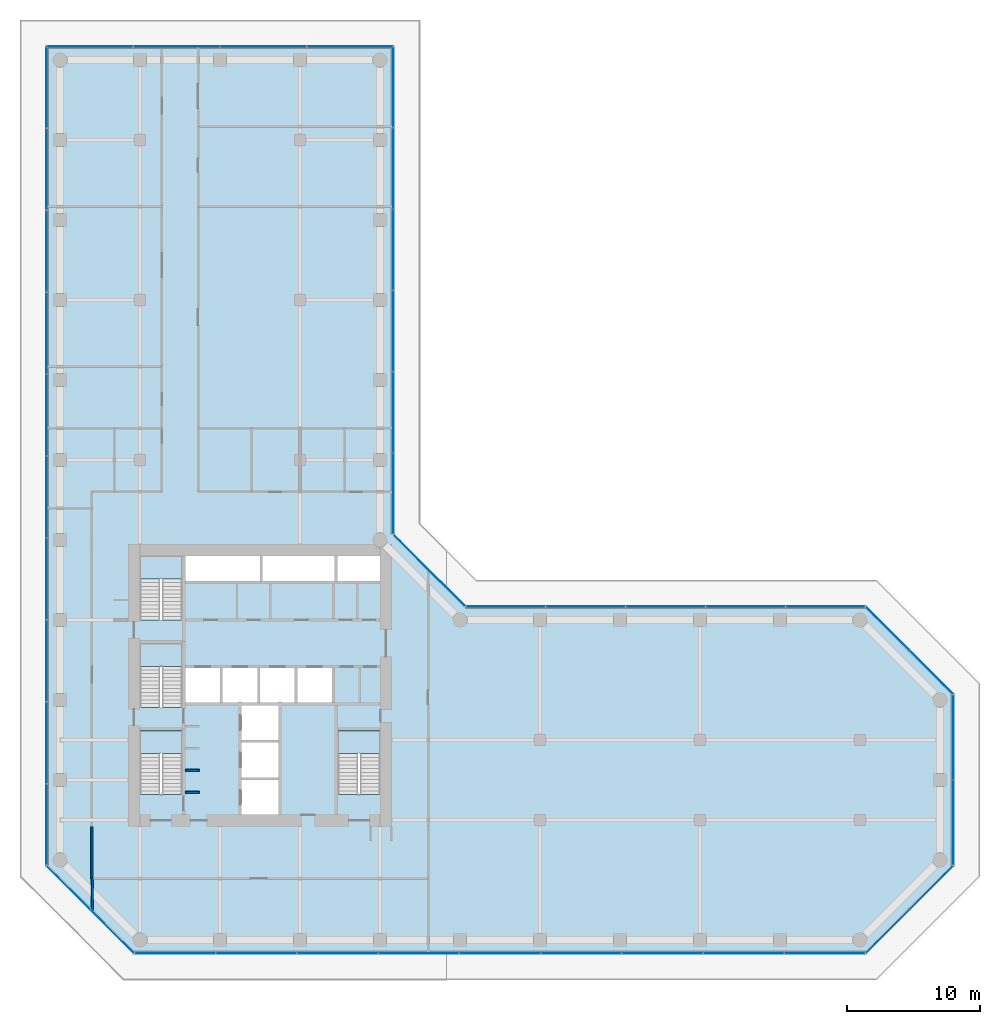
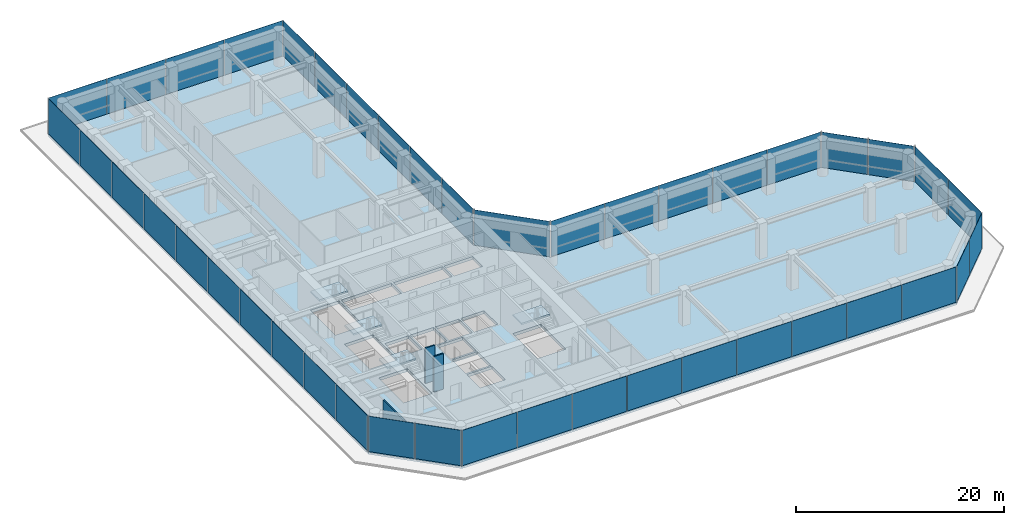
# One storey, part 20 of 24: 43 plates, 5 slabs, 4 walls, 14 elements without a shape of their own.
"""IFC4 building model written with IfcOpenShell, lengths in metres."""

from ifc_helpers import new_model, si_unit, direction, frame, frame_2d, origin, origin_2d, place, context, subcontext, project, spatial, polyline, rectangle, outline, extrude, material, layer, layer_set, type_object, element, aggregate, save


model = new_model("IFC4")

# Units and contexts
model_context = context("Model", 3, precision=1e-05, world=origin(), true_north=direction((0.0, 1.0)))
body_context = subcontext(model_context, "Body", "Model", "MODEL_VIEW")
ifc_project = project(units=[si_unit("LENGTHUNIT", "METRE"), si_unit("AREAUNIT", "SQUARE_METRE"), si_unit("VOLUMEUNIT", "CUBIC_METRE"), si_unit("PLANEANGLEUNIT", "RADIAN"), si_unit("MASSUNIT", "GRAM", prefix="KILO")], contexts=[model_context])

# Site, building, storey
site_placement = place(None, origin())
site = spatial("IfcSite", under=ifc_project, at=site_placement, CompositionType="ELEMENT")
building_placement = place(site_placement, origin())
building = spatial("IfcBuilding", under=site, at=building_placement, Name="Welwitschia Terrace Campus", CompositionType="ELEMENT")
storey_placement = place(building_placement, frame((0.0, 0.0, 15.5)))
storey = spatial("IfcBuildingStorey", under=building, at=storey_placement, Name="L03", CompositionType="ELEMENT", Elevation=15.5)

# Curtain wall, plates
ifc_material_1 = material(Name="Bronze anodised aluminium", Category="aluminium")
ifc_layer_1 = layer(ifc_material_1, 0.1201171875)
ifc_layer_set_1 = layer_set([ifc_layer_1], Name="Bronze anodised aluminium")
curtain_wall_type = type_object("IfcCurtainWallType", Name="Curtain wall CW2 tower 6000", PredefinedType="NOTDEFINED", material=ifc_layer_set_1)
curtain_wall_1_placement = place(storey_placement, origin())
curtain_wall_1 = element("IfcCurtainWall", 1, at=curtain_wall_1_placement, inside=storey, type_object=curtain_wall_type, Name="CW L03.0.0", PredefinedType="NOTDEFINED")
ifc_material_2 = material(Name="Tinted bronze-grey glass", Category="glass")
ifc_layer_2 = layer(ifc_material_2, 0.028076171875)
ifc_layer_set_2 = layer_set([ifc_layer_2], Name="Tinted bronze-grey glass")
plate_type = type_object("IfcPlateType", Name="Glass panel 28 tinted", PredefinedType="CURTAIN_PANEL", material=ifc_layer_set_2)
plate_1_placement = place(storey_placement, frame((0.639892578125, -0.08251953125, 0.0), z_axis=(0.0, 0.0, 1.0), x_axis=(0.707106781187, -0.707106781187, 0.0)))
plate_1 = element("IfcPlate", 2, at=plate_1_placement, type_object=plate_type, Name="Panel L03.0.0.0", PredefinedType="CURTAIN_PANEL", context=body_context, shape_type="SweptSolid", body=[
    extrude(rectangle(XDim=4.5751953125, YDim=0.028076171875, at=origin_2d()), origin(), (0.0, 0.0, 1.0), 4.14990234375),
])
plate_2_placement = place(storey_placement, frame((3.91748046875, -3.360107421875, 0.0), z_axis=(0.0, 0.0, 1.0), x_axis=(0.707106781187, -0.707106781187, 0.0)))
plate_2 = element("IfcPlate", 3, at=plate_2_placement, type_object=plate_type, Name="Panel L03.0.0.1", PredefinedType="CURTAIN_PANEL", context=body_context, shape_type="SweptSolid", body=[
    extrude(rectangle(XDim=4.5751953125, YDim=0.028076171875, at=origin_2d()), origin(), (0.0, 0.0, 1.0), 4.14990234375),
])
aggregate(curtain_wall_1, [plate_1, plate_2])

curtain_wall_2_placement = place(storey_placement, origin())
curtain_wall_2 = element("IfcCurtainWall", 4, at=curtain_wall_2_placement, inside=storey, type_object=curtain_wall_type, Name="CW L03.1.0", PredefinedType="NOTDEFINED")
plate_3_placement = place(storey_placement, frame((8.639404296875, -5.02001953125, 0.0), z_axis=(0.0, 0.0, 1.0), x_axis=(1.0, 0.0, 0.0)))
plate_3 = element("IfcPlate", 5, at=plate_3_placement, type_object=plate_type, Name="Panel L03.1.0.0", PredefinedType="CURTAIN_PANEL", context=body_context, shape_type="SweptSolid", body=[
    extrude(rectangle(XDim=6.00390625, YDim=0.028076171875, at=origin_2d()), origin(), (0.0, 0.0, 1.0), 4.14990234375),
])
plate_4_placement = place(storey_placement, frame((14.71826171875, -5.02001953125, 0.0), z_axis=(0.0, 0.0, 1.0), x_axis=(1.0, 0.0, 0.0)))
plate_4 = element("IfcPlate", 6, at=plate_4_placement, type_object=plate_type, Name="Panel L03.1.0.1", PredefinedType="CURTAIN_PANEL", context=body_context, shape_type="SweptSolid", body=[
    extrude(rectangle(XDim=6.033935546875, YDim=0.028076171875, at=origin_2d()), origin(), (0.0, 0.0, 1.0), 4.14990234375),
])
plate_5_placement = place(storey_placement, frame((20.812255859375, -5.02001953125, 0.0), z_axis=(0.0, 0.0, 1.0), x_axis=(1.0, 0.0, 0.0)))
plate_5 = element("IfcPlate", 7, at=plate_5_placement, type_object=plate_type, Name="Panel L03.1.0.2", PredefinedType="CURTAIN_PANEL", context=body_context, shape_type="SweptSolid", body=[
    extrude(rectangle(XDim=6.033935546875, YDim=0.028076171875, at=origin_2d()), origin(), (0.0, 0.0, 1.0), 4.14990234375),
])
plate_6_placement = place(storey_placement, frame((26.906005859375, -5.02001953125, 0.0), z_axis=(0.0, 0.0, 1.0), x_axis=(1.0, 0.0, 0.0)))
plate_6 = element("IfcPlate", 8, at=plate_6_placement, type_object=plate_type, Name="Panel L03.1.0.3", PredefinedType="CURTAIN_PANEL", context=body_context, shape_type="SweptSolid", body=[
    extrude(rectangle(XDim=6.033935546875, YDim=0.028076171875, at=origin_2d()), origin(), (0.0, 0.0, 1.0), 4.14990234375),
])
plate_7_placement = place(storey_placement, frame((33.0, -5.02001953125, 0.0), z_axis=(0.0, 0.0, 1.0), x_axis=(1.0, 0.0, 0.0)))
plate_7 = element("IfcPlate", 9, at=plate_7_placement, type_object=plate_type, Name="Panel L03.1.0.4", PredefinedType="CURTAIN_PANEL", context=body_context, shape_type="SweptSolid", body=[
    extrude(rectangle(XDim=6.033935546875, YDim=0.028076171875, at=origin_2d()), origin(), (0.0, 0.0, 1.0), 4.14990234375),
])
plate_8_placement = place(storey_placement, frame((39.093994140625, -5.02001953125, 0.0), z_axis=(0.0, 0.0, 1.0), x_axis=(1.0, 0.0, 0.0)))
plate_8 = element("IfcPlate", 10, at=plate_8_placement, type_object=plate_type, Name="Panel L03.1.0.5", PredefinedType="CURTAIN_PANEL", context=body_context, shape_type="SweptSolid", body=[
    extrude(rectangle(XDim=6.033935546875, YDim=0.028076171875, at=origin_2d()), origin(), (0.0, 0.0, 1.0), 4.14990234375),
])
plate_9_placement = place(storey_placement, frame((45.187744140625, -5.02001953125, 0.0), z_axis=(0.0, 0.0, 1.0), x_axis=(1.0, 0.0, 0.0)))
plate_9 = element("IfcPlate", 11, at=plate_9_placement, type_object=plate_type, Name="Panel L03.1.0.6", PredefinedType="CURTAIN_PANEL", context=body_context, shape_type="SweptSolid", body=[
    extrude(rectangle(XDim=6.033935546875, YDim=0.028076171875, at=origin_2d()), origin(), (0.0, 0.0, 1.0), 4.14990234375),
])
plate_10_placement = place(storey_placement, frame((51.28173828125, -5.02001953125, 0.0), z_axis=(0.0, 0.0, 1.0), x_axis=(1.0, 0.0, 0.0)))
plate_10 = element("IfcPlate", 12, at=plate_10_placement, type_object=plate_type, Name="Panel L03.1.0.7", PredefinedType="CURTAIN_PANEL", context=body_context, shape_type="SweptSolid", body=[
    extrude(rectangle(XDim=6.033935546875, YDim=0.028076171875, at=origin_2d()), origin(), (0.0, 0.0, 1.0), 4.14990234375),
])
plate_11_placement = place(storey_placement, frame((57.360595703125, -5.02001953125, 0.0), z_axis=(0.0, 0.0, 1.0), x_axis=(1.0, 0.0, 0.0)))
plate_11 = element("IfcPlate", 13, at=plate_11_placement, type_object=plate_type, Name="Panel L03.1.0.8", PredefinedType="CURTAIN_PANEL", context=body_context, shape_type="SweptSolid", body=[
    extrude(rectangle(XDim=6.00390625, YDim=0.028076171875, at=origin_2d()), origin(), (0.0, 0.0, 1.0), 4.14990234375),
])
aggregate(curtain_wall_2, [plate_3, plate_4, plate_5, plate_6, plate_7, plate_8, plate_9, plate_10, plate_11])

curtain_wall_3_placement = place(storey_placement, origin())
curtain_wall_3 = element("IfcCurtainWall", 14, at=curtain_wall_3_placement, inside=storey, type_object=curtain_wall_type, Name="CW L03.2.0", PredefinedType="NOTDEFINED")
plate_12_placement = place(storey_placement, frame((62.08251953125, -3.360107421875, 0.0), z_axis=(0.0, 0.0, 1.0), x_axis=(0.707106781187, 0.707106781187, 0.0)))
plate_12 = element("IfcPlate", 15, at=plate_12_placement, type_object=plate_type, Name="Panel L03.2.0.0", PredefinedType="CURTAIN_PANEL", context=body_context, shape_type="SweptSolid", body=[
    extrude(rectangle(XDim=4.5751953125, YDim=0.028076171875, at=origin_2d()), origin(), (0.0, 0.0, 1.0), 4.14990234375),
])
plate_13_placement = place(storey_placement, frame((65.360107421875, -0.08251953125, 0.0), z_axis=(0.0, 0.0, 1.0), x_axis=(0.707106781187, 0.707106781187, 0.0)))
plate_13 = element("IfcPlate", 16, at=plate_13_placement, type_object=plate_type, Name="Panel L03.2.0.1", PredefinedType="CURTAIN_PANEL", context=body_context, shape_type="SweptSolid", body=[
    extrude(rectangle(XDim=4.5751953125, YDim=0.028076171875, at=origin_2d()), origin(), (0.0, 0.0, 1.0), 4.14990234375),
])
aggregate(curtain_wall_3, [plate_12, plate_13])

curtain_wall_4_placement = place(storey_placement, origin())
curtain_wall_4 = element("IfcCurtainWall", 17, at=curtain_wall_4_placement, inside=storey, type_object=curtain_wall_type, Name="CW L03.3.0", PredefinedType="NOTDEFINED")
plate_14_placement = place(storey_placement, frame((67.02001953125, 4.8037109375, 0.0), z_axis=(0.0, 0.0, 1.0), x_axis=(0.0, 1.0, 0.0)))
plate_14 = element("IfcPlate", 18, at=plate_14_placement, type_object=plate_type, Name="Panel L03.3.0.0", PredefinedType="CURTAIN_PANEL", context=body_context, shape_type="SweptSolid", body=[
    extrude(rectangle(XDim=6.33251953125, YDim=0.028076171875, at=origin_2d()), origin(), (0.0, 0.0, 1.0), 4.14990234375),
])
plate_15_placement = place(storey_placement, frame((67.02001953125, 11.1962890625, 0.0), z_axis=(0.0, 0.0, 1.0), x_axis=(0.0, 1.0, 0.0)))
plate_15 = element("IfcPlate", 19, at=plate_15_placement, type_object=plate_type, Name="Panel L03.3.0.1", PredefinedType="CURTAIN_PANEL", context=body_context, shape_type="SweptSolid", body=[
    extrude(rectangle(XDim=6.33251953125, YDim=0.028076171875, at=origin_2d()), origin(), (0.0, 0.0, 1.0), 4.14990234375),
])
aggregate(curtain_wall_4, [plate_14, plate_15])

curtain_wall_5_placement = place(storey_placement, origin())
curtain_wall_5 = element("IfcCurtainWall", 20, at=curtain_wall_5_placement, inside=storey, type_object=curtain_wall_type, Name="CW L03.4.0", PredefinedType="NOTDEFINED")
plate_16_placement = place(storey_placement, frame((65.360107421875, 16.08251953125, 0.0), z_axis=(0.0, 0.0, 1.0), x_axis=(-0.707106781187, 0.707106781187, 0.0)))
plate_16 = element("IfcPlate", 21, at=plate_16_placement, type_object=plate_type, Name="Panel L03.4.0.0", PredefinedType="CURTAIN_PANEL", context=body_context, shape_type="SweptSolid", body=[
    extrude(rectangle(XDim=4.5751953125, YDim=0.028076171875, at=origin_2d()), origin(), (0.0, 0.0, 1.0), 4.14990234375),
])
plate_17_placement = place(storey_placement, frame((62.08251953125, 19.360107421875, 0.0), z_axis=(0.0, 0.0, 1.0), x_axis=(-0.707106781187, 0.707106781187, 0.0)))
plate_17 = element("IfcPlate", 22, at=plate_17_placement, type_object=plate_type, Name="Panel L03.4.0.1", PredefinedType="CURTAIN_PANEL", context=body_context, shape_type="SweptSolid", body=[
    extrude(rectangle(XDim=4.5751953125, YDim=0.028076171875, at=origin_2d()), origin(), (0.0, 0.0, 1.0), 4.14990234375),
])
aggregate(curtain_wall_5, [plate_16, plate_17])

curtain_wall_6_placement = place(storey_placement, origin())
curtain_wall_6 = element("IfcCurtainWall", 23, at=curtain_wall_6_placement, inside=storey, type_object=curtain_wall_type, Name="CW L03.5.0", PredefinedType="NOTDEFINED")
plate_18_placement = place(storey_placement, frame((57.407470703125, 21.02001953125, 0.0), z_axis=(0.0, 0.0, 1.0), x_axis=(-1.0, 0.0, 0.0)))
plate_18 = element("IfcPlate", 24, at=plate_18_placement, type_object=plate_type, Name="Panel L03.5.0.0", PredefinedType="CURTAIN_PANEL", context=body_context, shape_type="SweptSolid", body=[
    extrude(rectangle(XDim=5.909912109375, YDim=0.028076171875, at=origin_2d()), origin(), (0.0, 0.0, 1.0), 4.14990234375),
])
plate_19_placement = place(storey_placement, frame((51.422607421875, 21.02001953125, 0.0), z_axis=(0.0, 0.0, 1.0), x_axis=(-1.0, 0.0, 0.0)))
plate_19 = element("IfcPlate", 25, at=plate_19_placement, type_object=plate_type, Name="Panel L03.5.0.1", PredefinedType="CURTAIN_PANEL", context=body_context, shape_type="SweptSolid", body=[
    extrude(rectangle(XDim=5.93994140625, YDim=0.028076171875, at=origin_2d()), origin(), (0.0, 0.0, 1.0), 4.14990234375),
])
plate_20_placement = place(storey_placement, frame((45.422607421875, 21.02001953125, 0.0), z_axis=(0.0, 0.0, 1.0), x_axis=(-1.0, 0.0, 0.0)))
plate_20 = element("IfcPlate", 26, at=plate_20_placement, type_object=plate_type, Name="Panel L03.5.0.2", PredefinedType="CURTAIN_PANEL", context=body_context, shape_type="SweptSolid", body=[
    extrude(rectangle(XDim=5.93994140625, YDim=0.028076171875, at=origin_2d()), origin(), (0.0, 0.0, 1.0), 4.14990234375),
])
plate_21_placement = place(storey_placement, frame((39.422607421875, 21.02001953125, 0.0), z_axis=(0.0, 0.0, 1.0), x_axis=(-1.0, 0.0, 0.0)))
plate_21 = element("IfcPlate", 27, at=plate_21_placement, type_object=plate_type, Name="Panel L03.5.0.3", PredefinedType="CURTAIN_PANEL", context=body_context, shape_type="SweptSolid", body=[
    extrude(rectangle(XDim=5.93994140625, YDim=0.028076171875, at=origin_2d()), origin(), (0.0, 0.0, 1.0), 4.14990234375),
])
plate_22_placement = place(storey_placement, frame((33.4375, 21.02001953125, 0.0), z_axis=(0.0, 0.0, 1.0), x_axis=(-1.0, 0.0, 0.0)))
plate_22 = element("IfcPlate", 28, at=plate_22_placement, type_object=plate_type, Name="Panel L03.5.0.4", PredefinedType="CURTAIN_PANEL", context=body_context, shape_type="SweptSolid", body=[
    extrude(rectangle(XDim=5.909912109375, YDim=0.028076171875, at=origin_2d()), origin(), (0.0, 0.0, 1.0), 4.14990234375),
])
aggregate(curtain_wall_6, [plate_18, plate_19, plate_20, plate_21, plate_22])

# Curtain wall, plate
curtain_wall_7_placement = place(storey_placement, origin())
curtain_wall_7 = element("IfcCurtainWall", 29, at=curtain_wall_7_placement, inside=storey, type_object=curtain_wall_type, Name="CW L03.6.0", PredefinedType="NOTDEFINED")
plate_23_placement = place(storey_placement, frame((27.72119140625, 23.72119140625, 0.0), z_axis=(0.0, 0.0, 1.0), x_axis=(-0.707106781187, 0.707106781187, 0.0)))
plate_23 = element("IfcPlate", 30, at=plate_23_placement, type_object=plate_type, Name="Panel L03.6.0.0", PredefinedType="CURTAIN_PANEL", context=body_context, shape_type="SweptSolid", body=[
    extrude(rectangle(XDim=7.520263671875, YDim=0.028076171875, at=origin_2d()), origin(), (0.0, 0.0, 1.0), 4.14990234375),
])
aggregate(curtain_wall_7, [plate_23])

# Curtain wall, plates
curtain_wall_8_placement = place(storey_placement, origin())
curtain_wall_8 = element("IfcCurtainWall", 31, at=curtain_wall_8_placement, inside=storey, type_object=curtain_wall_type, Name="CW L03.7.0", PredefinedType="NOTDEFINED")
plate_24_placement = place(storey_placement, frame((25.02001953125, 29.4873046875, 0.0), z_axis=(0.0, 0.0, 1.0), x_axis=(0.0, 1.0, 0.0)))
plate_24 = element("IfcPlate", 32, at=plate_24_placement, type_object=plate_type, Name="Panel L03.7.0.0", PredefinedType="CURTAIN_PANEL", context=body_context, shape_type="SweptSolid", body=[
    extrude(rectangle(XDim=6.009521484375, YDim=0.028076171875, at=origin_2d()), origin(), (0.0, 0.0, 1.0), 4.14990234375),
])
plate_25_placement = place(storey_placement, frame((25.02001953125, 35.57177734375, 0.0), z_axis=(0.0, 0.0, 1.0), x_axis=(0.0, 1.0, 0.0)))
plate_25 = element("IfcPlate", 33, at=plate_25_placement, type_object=plate_type, Name="Panel L03.7.0.1", PredefinedType="CURTAIN_PANEL", context=body_context, shape_type="SweptSolid", body=[
    extrude(rectangle(XDim=6.03955078125, YDim=0.028076171875, at=origin_2d()), origin(), (0.0, 0.0, 1.0), 4.14990234375),
])
plate_26_placement = place(storey_placement, frame((25.02001953125, 41.67138671875, 0.0), z_axis=(0.0, 0.0, 1.0), x_axis=(0.0, 1.0, 0.0)))
plate_26 = element("IfcPlate", 34, at=plate_26_placement, type_object=plate_type, Name="Panel L03.7.0.2", PredefinedType="CURTAIN_PANEL", context=body_context, shape_type="SweptSolid", body=[
    extrude(rectangle(XDim=6.03955078125, YDim=0.028076171875, at=origin_2d()), origin(), (0.0, 0.0, 1.0), 4.14990234375),
])
plate_27_placement = place(storey_placement, frame((25.02001953125, 47.77099609375, 0.0), z_axis=(0.0, 0.0, 1.0), x_axis=(0.0, 1.0, 0.0)))
plate_27 = element("IfcPlate", 35, at=plate_27_placement, type_object=plate_type, Name="Panel L03.7.0.3", PredefinedType="CURTAIN_PANEL", context=body_context, shape_type="SweptSolid", body=[
    extrude(rectangle(XDim=6.03955078125, YDim=0.028076171875, at=origin_2d()), origin(), (0.0, 0.0, 1.0), 4.14990234375),
])
plate_28_placement = place(storey_placement, frame((25.02001953125, 53.87060546875, 0.0), z_axis=(0.0, 0.0, 1.0), x_axis=(0.0, 1.0, 0.0)))
plate_28 = element("IfcPlate", 36, at=plate_28_placement, type_object=plate_type, Name="Panel L03.7.0.4", PredefinedType="CURTAIN_PANEL", context=body_context, shape_type="SweptSolid", body=[
    extrude(rectangle(XDim=6.03955078125, YDim=0.028076171875, at=origin_2d()), origin(), (0.0, 0.0, 1.0), 4.14990234375),
])
plate_29_placement = place(storey_placement, frame((25.02001953125, 59.955322265625, 0.0), z_axis=(0.0, 0.0, 1.0), x_axis=(0.0, 1.0, 0.0)))
plate_29 = element("IfcPlate", 37, at=plate_29_placement, type_object=plate_type, Name="Panel L03.7.0.5", PredefinedType="CURTAIN_PANEL", context=body_context, shape_type="SweptSolid", body=[
    extrude(rectangle(XDim=6.009521484375, YDim=0.028076171875, at=origin_2d()), origin(), (0.0, 0.0, 1.0), 4.14990234375),
])
aggregate(curtain_wall_8, [plate_24, plate_25, plate_26, plate_27, plate_28, plate_29])

curtain_wall_9_placement = place(storey_placement, origin())
curtain_wall_9 = element("IfcCurtainWall", 38, at=curtain_wall_9_placement, inside=storey, type_object=curtain_wall_type, Name="CW L03.8.0", PredefinedType="NOTDEFINED")
plate_30_placement = place(storey_placement, frame((21.75, 63.02001953125, 0.0), z_axis=(0.0, 0.0, 1.0), x_axis=(-1.0, 0.0, 0.0)))
plate_30 = element("IfcPlate", 39, at=plate_30_placement, type_object=plate_type, Name="Panel L03.8.0.0", PredefinedType="CURTAIN_PANEL", context=body_context, shape_type="SweptSolid", body=[
    extrude(rectangle(XDim=6.419921875, YDim=0.028076171875, at=origin_2d()), origin(), (0.0, 0.0, 1.0), 4.14990234375),
])
plate_31_placement = place(storey_placement, frame((15.2548828125, 63.02001953125, 0.0), z_axis=(0.0, 0.0, 1.0), x_axis=(-1.0, 0.0, 0.0)))
plate_31 = element("IfcPlate", 40, at=plate_31_placement, type_object=plate_type, Name="Panel L03.8.0.1", PredefinedType="CURTAIN_PANEL", context=body_context, shape_type="SweptSolid", body=[
    extrude(rectangle(XDim=6.449951171875, YDim=0.028076171875, at=origin_2d()), origin(), (0.0, 0.0, 1.0), 4.14990234375),
])
plate_32_placement = place(storey_placement, frame((8.7451171875, 63.02001953125, 0.0), z_axis=(0.0, 0.0, 1.0), x_axis=(-1.0, 0.0, 0.0)))
plate_32 = element("IfcPlate", 41, at=plate_32_placement, type_object=plate_type, Name="Panel L03.8.0.2", PredefinedType="CURTAIN_PANEL", context=body_context, shape_type="SweptSolid", body=[
    extrude(rectangle(XDim=6.449951171875, YDim=0.028076171875, at=origin_2d()), origin(), (0.0, 0.0, 1.0), 4.14990234375),
])
plate_33_placement = place(storey_placement, frame((2.25, 63.02001953125, 0.0), z_axis=(0.0, 0.0, 1.0), x_axis=(-1.0, 0.0, 0.0)))
plate_33 = element("IfcPlate", 42, at=plate_33_placement, type_object=plate_type, Name="Panel L03.8.0.3", PredefinedType="CURTAIN_PANEL", context=body_context, shape_type="SweptSolid", body=[
    extrude(rectangle(XDim=6.419921875, YDim=0.028076171875, at=origin_2d()), origin(), (0.0, 0.0, 1.0), 4.14990234375),
])
aggregate(curtain_wall_9, [plate_30, plate_31, plate_32, plate_33])

curtain_wall_10_placement = place(storey_placement, origin())
curtain_wall_10 = element("IfcCurtainWall", 43, at=curtain_wall_10_placement, inside=storey, type_object=curtain_wall_type, Name="CW L03.9.0", PredefinedType="NOTDEFINED")
plate_34_placement = place(storey_placement, frame((-1.02001953125, 59.932861328125, 0.0), z_axis=(0.0, 0.0, 1.0), x_axis=(0.0, -1.0, 0.0)))
plate_34 = element("IfcPlate", 44, at=plate_34_placement, type_object=plate_type, Name="Panel L03.9.0.0", PredefinedType="CURTAIN_PANEL", context=body_context, shape_type="SweptSolid", body=[
    extrude(rectangle(XDim=6.05419921875, YDim=0.028076171875, at=origin_2d()), origin(), (0.0, 0.0, 1.0), 4.14990234375),
])
plate_35_placement = place(storey_placement, frame((-1.02001953125, 53.8037109375, 0.0), z_axis=(0.0, 0.0, 1.0), x_axis=(0.0, -1.0, 0.0)))
plate_35 = element("IfcPlate", 45, at=plate_35_placement, type_object=plate_type, Name="Panel L03.9.0.1", PredefinedType="CURTAIN_PANEL", context=body_context, shape_type="SweptSolid", body=[
    extrude(rectangle(XDim=6.084228515625, YDim=0.028076171875, at=origin_2d()), origin(), (0.0, 0.0, 1.0), 4.14990234375),
])
plate_36_placement = place(storey_placement, frame((-1.02001953125, 47.659423828125, 0.0), z_axis=(0.0, 0.0, 1.0), x_axis=(0.0, -1.0, 0.0)))
plate_36 = element("IfcPlate", 46, at=plate_36_placement, type_object=plate_type, Name="Panel L03.9.0.2", PredefinedType="CURTAIN_PANEL", context=body_context, shape_type="SweptSolid", body=[
    extrude(rectangle(XDim=6.084228515625, YDim=0.028076171875, at=origin_2d()), origin(), (0.0, 0.0, 1.0), 4.14990234375),
])
plate_37_placement = place(storey_placement, frame((-1.02001953125, 41.51513671875, 0.0), z_axis=(0.0, 0.0, 1.0), x_axis=(0.0, -1.0, 0.0)))
plate_37 = element("IfcPlate", 47, at=plate_37_placement, type_object=plate_type, Name="Panel L03.9.0.3", PredefinedType="CURTAIN_PANEL", context=body_context, shape_type="SweptSolid", body=[
    extrude(rectangle(XDim=6.084228515625, YDim=0.028076171875, at=origin_2d()), origin(), (0.0, 0.0, 1.0), 4.14990234375),
])
plate_38_placement = place(storey_placement, frame((-1.02001953125, 35.370849609375, 0.0), z_axis=(0.0, 0.0, 1.0), x_axis=(0.0, -1.0, 0.0)))
plate_38 = element("IfcPlate", 48, at=plate_38_placement, type_object=plate_type, Name="Panel L03.9.0.4", PredefinedType="CURTAIN_PANEL", context=body_context, shape_type="SweptSolid", body=[
    extrude(rectangle(XDim=6.084228515625, YDim=0.028076171875, at=origin_2d()), origin(), (0.0, 0.0, 1.0), 4.14990234375),
])
plate_39_placement = place(storey_placement, frame((-1.02001953125, 29.2265625, 0.0), z_axis=(0.0, 0.0, 1.0), x_axis=(0.0, -1.0, 0.0)))
plate_39 = element("IfcPlate", 49, at=plate_39_placement, type_object=plate_type, Name="Panel L03.9.0.5", PredefinedType="CURTAIN_PANEL", context=body_context, shape_type="SweptSolid", body=[
    extrude(rectangle(XDim=6.084228515625, YDim=0.028076171875, at=origin_2d()), origin(), (0.0, 0.0, 1.0), 4.14990234375),
])
plate_40_placement = place(storey_placement, frame((-1.02001953125, 23.082275390625, 0.0), z_axis=(0.0, 0.0, 1.0), x_axis=(0.0, -1.0, 0.0)))
plate_40 = element("IfcPlate", 50, at=plate_40_placement, type_object=plate_type, Name="Panel L03.9.0.6", PredefinedType="CURTAIN_PANEL", context=body_context, shape_type="SweptSolid", body=[
    extrude(rectangle(XDim=6.084228515625, YDim=0.028076171875, at=origin_2d()), origin(), (0.0, 0.0, 1.0), 4.14990234375),
])
plate_41_placement = place(storey_placement, frame((-1.02001953125, 16.938232421875, 0.0), z_axis=(0.0, 0.0, 1.0), x_axis=(0.0, -1.0, 0.0)))
plate_41 = element("IfcPlate", 51, at=plate_41_placement, type_object=plate_type, Name="Panel L03.9.0.7", PredefinedType="CURTAIN_PANEL", context=body_context, shape_type="SweptSolid", body=[
    extrude(rectangle(XDim=6.084228515625, YDim=0.028076171875, at=origin_2d()), origin(), (0.0, 0.0, 1.0), 4.14990234375),
])
plate_42_placement = place(storey_placement, frame((-1.02001953125, 10.7939453125, 0.0), z_axis=(0.0, 0.0, 1.0), x_axis=(0.0, -1.0, 0.0)))
plate_42 = element("IfcPlate", 52, at=plate_42_placement, type_object=plate_type, Name="Panel L03.9.0.8", PredefinedType="CURTAIN_PANEL", context=body_context, shape_type="SweptSolid", body=[
    extrude(rectangle(XDim=6.084228515625, YDim=0.028076171875, at=origin_2d()), origin(), (0.0, 0.0, 1.0), 4.14990234375),
])
plate_43_placement = place(storey_placement, frame((-1.02001953125, 4.66455078125, 0.0), z_axis=(0.0, 0.0, 1.0), x_axis=(0.0, -1.0, 0.0)))
plate_43 = element("IfcPlate", 53, at=plate_43_placement, type_object=plate_type, Name="Panel L03.9.0.9", PredefinedType="CURTAIN_PANEL", context=body_context, shape_type="SweptSolid", body=[
    extrude(rectangle(XDim=6.05419921875, YDim=0.028076171875, at=origin_2d()), origin(), (0.0, 0.0, 1.0), 4.14990234375),
])
aggregate(curtain_wall_10, [plate_34, plate_35, plate_36, plate_37, plate_38, plate_39, plate_40, plate_41, plate_42, plate_43])

# Stair, slab
ifc_material_3 = material(Name="Concrete C40/50", Category="concrete")
stair_type = type_object("IfcStairType", Name="Stair 24R 188 W1500", PredefinedType="HALF_TURN_STAIR", material=ifc_material_3)
stair_1_placement = place(storey_placement, origin())
stair_1 = element("IfcStair", 54, at=stair_1_placement, inside=storey, type_object=stair_type, Name="L03 Exit stair S1", PredefinedType="HALF_TURN_STAIR")
ifc_material_4 = material(Name="Concrete C40/50", Category="concrete")
ifc_layer_3 = layer(ifc_material_4, 0.199951171875)
ifc_layer_set_3 = layer_set([ifc_layer_3], Name="Concrete C40/50")
slab_type_1 = type_object("IfcSlabType", Name="Stair landing RC", PredefinedType="LANDING", material=ifc_layer_set_3)
slab_1_placement = place(storey_placement, frame((0.0, 0.0, 2.050048828125)))
slab_1 = element("IfcSlab", 55, at=slab_1_placement, type_object=slab_type_1, Name="S1 landing 1", PredefinedType="LANDING", context=body_context, shape_type="SweptSolid", body=[
    extrude(outline(polyline([(9.14990234375, 9.97998046875), (9.14990234375, 11.699951171875), (6.0, 11.699951171875), (6.0, 9.97998046875), (9.14990234375, 9.97998046875)])), origin(), (0.0, 0.0, 1.0), 0.199951171875),
])
aggregate(stair_1, [slab_1])

stair_2_placement = place(storey_placement, origin())
stair_2 = element("IfcStair", 56, at=stair_2_placement, inside=storey, type_object=stair_type, Name="L03 Exit stair S3", PredefinedType="HALF_TURN_STAIR")
slab_2_placement = place(storey_placement, frame((0.0, 0.0, 2.050048828125)))
slab_2 = element("IfcSlab", 57, at=slab_2_placement, type_object=slab_type_1, Name="S3 landing 1", PredefinedType="LANDING", context=body_context, shape_type="SweptSolid", body=[
    extrude(outline(polyline([(9.14990234375, 16.530029296875), (9.14990234375, 18.25), (6.0, 18.25), (6.0, 16.530029296875), (9.14990234375, 16.530029296875)])), origin(), (0.0, 0.0, 1.0), 0.199951171875),
])
aggregate(stair_2, [slab_2])

stair_3_placement = place(storey_placement, origin())
stair_3 = element("IfcStair", 58, at=stair_3_placement, inside=storey, type_object=stair_type, Name="L03 Exit stair S4", PredefinedType="HALF_TURN_STAIR")
slab_3_placement = place(storey_placement, frame((0.0, 0.0, 2.050048828125)))
slab_3 = element("IfcSlab", 59, at=slab_3_placement, type_object=slab_type_1, Name="S4 landing 1", PredefinedType="LANDING", context=body_context, shape_type="SweptSolid", body=[
    extrude(outline(polyline([(9.14990234375, 23.080078125), (9.14990234375, 24.800048828125), (6.0, 24.800048828125), (6.0, 23.080078125), (9.14990234375, 23.080078125)])), origin(), (0.0, 0.0, 1.0), 0.199951171875),
])
aggregate(stair_3, [slab_3])

stair_4_placement = place(storey_placement, origin())
stair_4 = element("IfcStair", 60, at=stair_4_placement, inside=storey, type_object=stair_type, Name="L03 Exit stair S2", PredefinedType="HALF_TURN_STAIR")
slab_4_placement = place(storey_placement, frame((0.0, 0.0, 2.050048828125)))
slab_4 = element("IfcSlab", 61, at=slab_4_placement, type_object=slab_type_1, Name="S2 landing 1", PredefinedType="LANDING", context=body_context, shape_type="SweptSolid", body=[
    extrude(outline(polyline([(24.0, 9.97998046875), (24.0, 11.699951171875), (20.85009765625, 11.699951171875), (20.85009765625, 9.97998046875), (24.0, 9.97998046875)])), origin(), (0.0, 0.0, 1.0), 0.199951171875),
])
aggregate(stair_4, [slab_4])

# Slab
ifc_material_5 = material(Name="Concrete C40/50", Category="concrete")
ifc_layer_4 = layer(ifc_material_5, 0.35009765625)
ifc_layer_set_4 = layer_set([ifc_layer_4], Name="Concrete C40/50")
slab_type_2 = type_object("IfcSlabType", Name="Suspended floor slab 350", PredefinedType="FLOOR", material=ifc_layer_set_4)
slab_5_placement = place(storey_placement, frame((0.0, 0.0, -0.35009765625)))
element("IfcSlab", 62, at=slab_5_placement, inside=storey, type_object=slab_type_2, Name="Floor slab L03", PredefinedType="FLOOR", context=body_context, shape_type="SweptSolid", body=[
    extrude(outline(polyline([(-1.0, 63.0), (25.0, 63.0), (25.0, 26.414306640625), (30.414306640625, 21.0), (60.414306640625, 21.0), (67.0, 14.414306640625), (67.0, 1.585693359375), (60.414306640625, -5.0), (5.585693359375, -5.0), (-1.0, 1.585693359375), (-1.0, 63.0)]), holes=[polyline([(13.60009765625, 8.0), (13.60009765625, 5.39990234375), (16.39990234375, 5.39990234375), (16.39990234375, 8.0), (13.60009765625, 8.0)]), polyline([(9.14990234375, 11.699951171875), (6.0, 11.699951171875), (6.0, 6.902099609375), (9.14990234375, 6.902099609375), (9.14990234375, 11.699951171875)]), polyline([(12.0, 16.39990234375), (9.39990234375, 16.39990234375), (9.39990234375, 13.800048828125), (12.0, 13.800048828125), (12.0, 16.39990234375)]), polyline([(14.800048828125, 16.39990234375), (12.199951171875, 16.39990234375), (12.199951171875, 13.800048828125), (14.800048828125, 13.800048828125), (14.800048828125, 16.39990234375)]), polyline([(9.14990234375, 18.25), (6.0, 18.25), (6.0, 13.451904296875), (9.14990234375, 13.451904296875), (9.14990234375, 18.25)]), polyline([(9.14990234375, 24.800048828125), (6.0, 24.800048828125), (6.0, 20.001953125), (9.14990234375, 20.001953125), (9.14990234375, 24.800048828125)]), polyline([(15.0, 24.800048828125), (9.39990234375, 24.800048828125), (9.39990234375, 22.89990234375), (15.0, 22.89990234375), (15.0, 24.800048828125)]), polyline([(20.85009765625, 11.699951171875), (20.85009765625, 6.902099609375), (24.0, 6.902099609375), (24.0, 11.699951171875), (20.85009765625, 11.699951171875)]), polyline([(16.39990234375, 10.800048828125), (13.60009765625, 10.800048828125), (13.60009765625, 8.199951171875), (16.39990234375, 8.199951171875), (16.39990234375, 10.800048828125)]), polyline([(16.39990234375, 13.60009765625), (13.60009765625, 13.60009765625), (13.60009765625, 11.0), (16.39990234375, 11.0), (16.39990234375, 13.60009765625)]), polyline([(17.60009765625, 16.39990234375), (15.0, 16.39990234375), (15.0, 13.800048828125), (17.60009765625, 13.800048828125), (17.60009765625, 16.39990234375)]), polyline([(20.39990234375, 16.39990234375), (17.800048828125, 16.39990234375), (17.800048828125, 13.800048828125), (20.39990234375, 13.800048828125), (20.39990234375, 16.39990234375)]), polyline([(20.60009765625, 24.800048828125), (15.199951171875, 24.800048828125), (15.199951171875, 22.89990234375), (20.60009765625, 22.89990234375), (20.60009765625, 24.800048828125)]), polyline([(24.0, 24.800048828125), (20.800048828125, 24.800048828125), (20.800048828125, 22.89990234375), (24.0, 22.89990234375), (24.0, 24.800048828125)])]), origin(), (0.0, 0.0, 1.0), 0.35009765625),
])

# Walls
ifc_material_6 = material(Name="Concrete C50/60", Category="concrete")
ifc_layer_5 = layer(ifc_material_6, 0.14990234375)
ifc_layer_set_5 = layer_set([ifc_layer_5], Name="Concrete C50/60")
wall_type_1 = type_object("IfcWallType", Name="Core wall 150 Concrete C50/60", PredefinedType="SHEAR", material=ifc_layer_set_5)
for number, where, z_axis, x_axis, name in (
    (63, (9.39990234375, 7.074951171875, 0.0), (0.0, 0.0, 1.0), (1.0, 0.0, 0.0), "Core wall"),
    (64, (9.39990234375, 8.72509765625, 0.0), (0.0, 0.0, 1.0), (1.0, 0.0, 0.0), "Core wall"),
):
    element("IfcWall", number, at=place(storey_placement, frame(where, z_axis=z_axis, x_axis=x_axis)), inside=storey, type_object=wall_type_1, Name=name, PredefinedType="SHEAR", context=body_context, shape_type="SweptSolid", body=[
        extrude(rectangle(XDim=1.050048828125, YDim=0.14990234375, at=frame_2d((0.52490234375, 0.0))), origin(), (0.0, 0.0, 1.0), 4.14990234375),
    ])
ifc_material_7 = material(Name="Gypsum board on steel studs", Category="steel")
ifc_layer_6 = layer(ifc_material_7, 0.14990234375)
ifc_layer_set_6 = layer_set([ifc_layer_6], Name="Gypsum board on steel studs")
wall_type_2 = type_object("IfcWallType", Name="Corridor partition 150 EI 30", PredefinedType="PARTITIONING", material=ifc_layer_set_6)
wall_1_placement = place(storey_placement, frame((2.39990234375, 0.60009765625, 0.0), z_axis=(0.0, 0.0, 1.0), x_axis=(0.0, 1.0, 0.0)))
element("IfcWall", 65, at=wall_1_placement, inside=storey, type_object=wall_type_2, Name="Partition", PredefinedType="PARTITIONING", context=body_context, shape_type="SweptSolid", body=[
    extrude(rectangle(XDim=3.89990234375, YDim=0.14990234375, at=frame_2d((1.949951171875, 0.0))), origin(), (0.0, 0.0, 1.0), 3.080078125),
])
wall_2_placement = place(storey_placement, frame((2.4296875, -1.77001953125, 0.0), z_axis=(0.0, 0.0, 1.0), x_axis=(0.0, 1.0, 0.0)))
element("IfcWall", 66, at=wall_2_placement, inside=storey, type_object=wall_type_2, Name="Partition", PredefinedType="PARTITIONING", context=body_context, shape_type="SweptSolid", body=[
    extrude(rectangle(XDim=2.3701171875, YDim=0.14990234375, at=frame_2d((1.18505859375, 0.0))), origin(), (0.0, 0.0, 1.0), 3.080078125),
])

save(model, "model.ifc")
